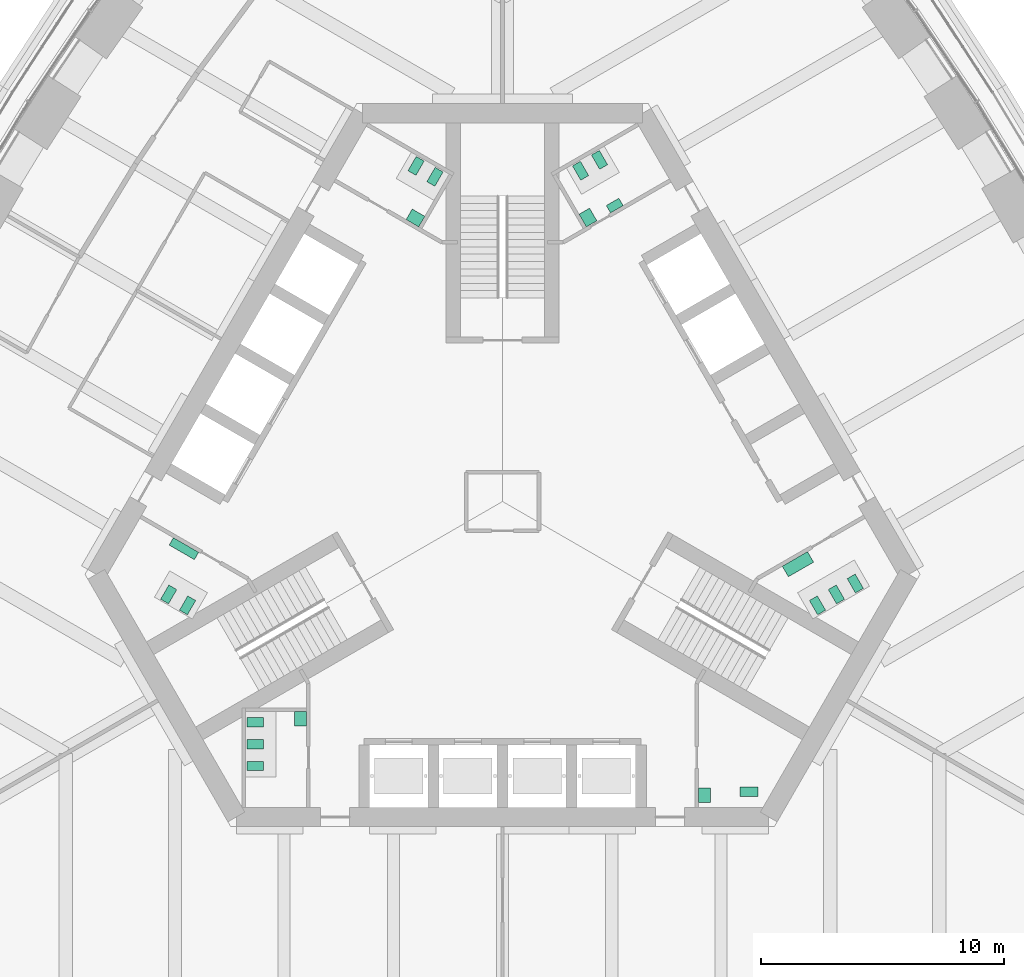
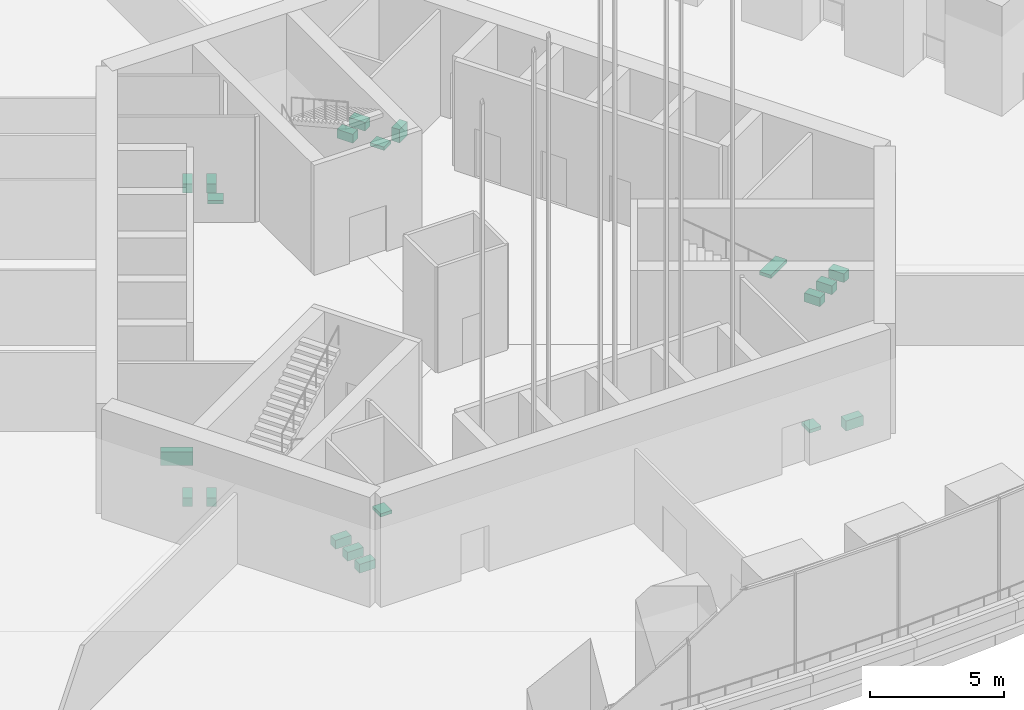
# One storey, part 22 of 31: 20 sanitary terminals.
"""IFC4 building model written with IfcOpenShell, lengths in metres."""

import ifcopenshell
import ifcopenshell.guid

model = None  # the IFC model being written
_history = None  # IfcOwnerHistory: only IFC2X3 demands one
_inside = {}  # id of a spatial element -> (the spatial element, [elements in it])
_under = {}  # id of a project, library or spatial element -> (it, [spatial elements below it])
_declared = {}  # id of a project -> (the project, [libraries it declares])
_typed = {}  # id of a type object -> (the type object, [elements of that type])
_made_of = {}  # id of a material, layer set ... -> (it, [elements and type objects made of it])


def new_model(schema):
    """Start an empty IFC model of exactly this schema.

    Asked for "IFC4X3", IfcOpenShell would pick the latest addendum, in which some entities
    have other attributes; the version numbers below select the first issue.
    IFC2X3 requires an IfcOwnerHistory on every rooted entity: one is made here for all.
    """
    global model, _history
    if schema == "IFC4X3":
        model = ifcopenshell.file(schema_version=(4, 3, 0, 0))
    else:
        model = ifcopenshell.file(schema=schema)
    _inside.clear()
    _under.clear()
    _declared.clear()
    _typed.clear()
    _made_of.clear()
    _history = None
    if model.schema == "IFC2X3":
        org = make("IfcOrganization", Name="unknown")
        user = make(
            "IfcPersonAndOrganization",
            ThePerson=make("IfcPerson", FamilyName="unknown"),
            TheOrganization=org,
        )
        app = make(
            "IfcApplication",
            ApplicationDeveloper=org,
            Version="unknown",
            ApplicationFullName="unknown",
            ApplicationIdentifier="unknown",
        )
        _history = make(
            "IfcOwnerHistory",
            OwningUser=user,
            OwningApplication=app,
            ChangeAction="ADDED",
            CreationDate=0,
        )
    return model


def make(cls, **values):
    """One entity of the class cls with the attributes given. An attribute that is None is left unset."""
    return model.create_entity(
        cls, **{name: value for name, value in values.items() if value is not None}
    )


def rooted(cls, **values):
    """An entity with a GlobalId (a new one), such as an element, a storey or a relation."""
    return make(cls, GlobalId=ifcopenshell.guid.new(), OwnerHistory=_history, **values)


def si_unit(unit_type, name, prefix=None):
    """IfcSIUnit, for example si_unit("LENGTHUNIT", "METRE", prefix="MILLI")."""
    return make("IfcSIUnit", UnitType=unit_type, Prefix=prefix, Name=name)


def assignment(units):
    """IfcUnitAssignment: the units of a project."""
    return None if units is None else make("IfcUnitAssignment", Units=units)


def point(xyz):
    """IfcCartesianPoint."""
    return None if xyz is None else make("IfcCartesianPoint", Coordinates=xyz)


def direction(xyz):
    """IfcDirection."""
    return None if xyz is None else make("IfcDirection", DirectionRatios=xyz)


def frame(location, z_axis=None, x_axis=None):
    """IfcAxis2Placement3D, a coordinate frame: its origin and axes. An axis left out is left unset."""
    return make(
        "IfcAxis2Placement3D",
        Location=point(location),
        Axis=direction(z_axis),
        RefDirection=direction(x_axis),
    )


def origin():
    """The frame at (0, 0, 0) with its axes left unset."""
    return frame((0.0, 0.0, 0.0))


def place(relative_to, where):
    """IfcLocalPlacement: puts the frame where relative to a parent placement (None: the world)."""
    return make(
        "IfcLocalPlacement", PlacementRelTo=relative_to, RelativePlacement=where
    )


def context(
    kind, dimensions, precision=None, world=None, true_north=None, identifier=None
):
    """IfcGeometricRepresentationContext, for example the 3D "Model" context."""
    return make(
        "IfcGeometricRepresentationContext",
        ContextIdentifier=identifier,
        ContextType=kind,
        CoordinateSpaceDimension=dimensions,
        Precision=precision,
        WorldCoordinateSystem=world,
        TrueNorth=true_north,
    )


def subcontext(parent, identifier, kind, view, scale=None):
    """IfcGeometricRepresentationSubContext, for example "Body" below "Model"."""
    return make(
        "IfcGeometricRepresentationSubContext",
        ContextIdentifier=identifier,
        ContextType=kind,
        ParentContext=parent,
        TargetScale=scale,
        TargetView=view,
    )


def project(units=None, contexts=None):
    """IfcProject with its units and contexts."""
    return rooted(
        "IfcProject",
        Name="project",
        RepresentationContexts=contexts,
        UnitsInContext=assignment(units),
    )


def spatial(cls, under=None, at=None, **own):
    """A site, building, storey or space (cls), placed at a placement, below another one or the project."""
    s = rooted(cls, ObjectPlacement=at, **own)
    if under is not None:
        _under.setdefault(under.id(), (under, []))[1].append(s)
    return s


def polyline(points):
    """IfcPolyline through the points."""
    return make("IfcPolyline", Points=[point(p) for p in points])


def outline(outer, holes=None, kind="AREA"):
    """IfcArbitraryClosedProfileDef: a profile drawn as a closed curve; with holes, ...WithVoids."""
    if holes is None:
        return make("IfcArbitraryClosedProfileDef", ProfileType=kind, OuterCurve=outer)
    return make(
        "IfcArbitraryProfileDefWithVoids",
        ProfileType=kind,
        OuterCurve=outer,
        InnerCurves=holes,
    )


def extrude(swept, where, along, depth):
    """IfcExtrudedAreaSolid: the profile swept, set in the frame where, extruded along a direction by depth."""
    return make(
        "IfcExtrudedAreaSolid",
        SweptArea=swept,
        Position=where,
        ExtrudedDirection=direction(along),
        Depth=depth,
    )


def shape(context_of_items, identifier, shape_type, items):
    """IfcShapeRepresentation: the items that make up one representation, for example the "Body"."""
    return make(
        "IfcShapeRepresentation",
        ContextOfItems=context_of_items,
        RepresentationIdentifier=identifier,
        RepresentationType=shape_type,
        Items=items,
    )


def material(Name=None, Category=None):
    """IfcMaterial."""
    return make("IfcMaterial", Name=Name, Category=Category)


def made_of(thing, what):
    """Note that an element or type object is made of a material, layer set ...; save() writes the relation."""
    if what is not None:
        _made_of.setdefault(what.id(), (what, []))[1].append(thing)
    return thing


def type_object(cls, material=None, **own):
    """A type object (cls), such as IfcWallType, which elements share."""
    return made_of(rooted(cls, **own), material)


def element(
    cls,
    number,
    at=None,
    inside=None,
    cuts=None,
    type_object=None,
    material=None,
    context=None,
    identifier="Body",
    shape_type=None,
    held_by="IfcProductDefinitionShape",
    body=None,
    shapes=None,
    **own,
):
    """One element of the class cls, such as IfcWall. Its Tag is "e" and its number.

    at: its placement. inside: the storey or other place that contains it. cuts: it is an
    opening in that element (IfcRelVoidsElement). A single representation is given by context,
    identifier, shape_type and body (its items); several are given by shapes. held_by: the class
    of the entity that holds the representations. save() writes the other relations.
    """
    e = rooted(cls, Tag="e%d" % number, ObjectPlacement=at, **own)
    if body is not None:
        shapes = [shape(context, identifier, shape_type, body)]
    if shapes is not None:
        e.Representation = make(held_by, Representations=shapes)
    if inside is not None:
        _inside.setdefault(inside.id(), (inside, []))[1].append(e)
    if cuts is not None:
        rooted(
            "IfcRelVoidsElement", RelatingBuildingElement=cuts, RelatedOpeningElement=e
        )
    if type_object is not None:
        _typed.setdefault(type_object.id(), (type_object, []))[1].append(e)
    return made_of(e, material)


def aggregate(whole, parts):
    """IfcRelAggregates: a whole, such as a stair, and the parts it consists of."""
    return rooted("IfcRelAggregates", RelatingObject=whole, RelatedObjects=parts)


def save(model, path):
    """Write the relations noted so far, then the file.

    IfcRelAggregates (storeys below a building ...), IfcRelContainedInSpatialStructure (elements
    in a storey), IfcRelDefinesByType, IfcRelAssociatesMaterial and IfcRelDeclares: one each for
    every whole, place, type object, material and project.
    """
    for whole, parts in _under.values():
        aggregate(whole, parts)
    for where, things in _inside.values():
        rooted(
            "IfcRelContainedInSpatialStructure",
            RelatedElements=things,
            RelatingStructure=where,
        )
    for kind, things in _typed.values():
        rooted("IfcRelDefinesByType", RelatedObjects=things, RelatingType=kind)
    for what, things in _made_of.values():
        rooted("IfcRelAssociatesMaterial", RelatedObjects=things, RelatingMaterial=what)
    for by, libraries in _declared.values():
        rooted("IfcRelDeclares", RelatingContext=by, RelatedDefinitions=libraries)
    model.write(path)


model = new_model("IFC4")

# Units and contexts
model_context = context("Model", 3, precision=1e-05, world=origin(), true_north=direction((0.0, 1.0)))
body_context = subcontext(model_context, "Body", "Model", "MODEL_VIEW")
ifc_project = project(units=[si_unit("LENGTHUNIT", "METRE"), si_unit("AREAUNIT", "SQUARE_METRE"), si_unit("VOLUMEUNIT", "CUBIC_METRE"), si_unit("PLANEANGLEUNIT", "RADIAN"), si_unit("MASSUNIT", "GRAM", prefix="KILO")], contexts=[model_context])

# Site, building, storey
site_placement = place(None, origin())
site = spatial("IfcSite", under=ifc_project, at=site_placement, CompositionType="ELEMENT")
building_placement = place(site_placement, origin())
building = spatial("IfcBuilding", under=site, at=building_placement, Name="Trefoil Bronze Tower", CompositionType="ELEMENT")
storey_placement = place(building_placement, frame((0.0, 0.0, 184.699951171875)))
storey = spatial("IfcBuildingStorey", under=building, at=storey_placement, Name="L42", CompositionType="ELEMENT", Elevation=184.699951171875)

# Sanitary terminals
ifc_material_1 = material(Name="Vitreous china", Category="ceramic")
sanitary_terminal_type_1 = type_object("IfcSanitaryTerminalType", Name="Accessible WC pan", PredefinedType="TOILETPAN", material=ifc_material_1)
sanitary_terminal_1_placement = place(storey_placement, origin())
element("IfcSanitaryTerminal", 1, at=sanitary_terminal_1_placement, inside=storey, type_object=sanitary_terminal_type_1, Name="WC pan 1 Accessible WC L42", PredefinedType="TOILETPAN", context=body_context, shape_type="SweptSolid", body=[
    extrude(outline(polyline([(9.784912109375, -11.77001953125), (10.534912109375, -11.77001953125), (10.534912109375, -12.14990234375), (9.784912109375, -12.14990234375), (9.784912109375, -11.77001953125)])), origin(), (0.0, 0.0, 1.0), 0.449951171875),
])
ifc_material_2 = material(Name="Vitreous china", Category="ceramic")
sanitary_terminal_type_2 = type_object("IfcSanitaryTerminalType", Name="Accessible basin", PredefinedType="WASHHANDBASIN", material=ifc_material_2)
sanitary_terminal_2_placement = place(storey_placement, frame((0.0, 0.0, 0.650146484375)))
element("IfcSanitaryTerminal", 2, at=sanitary_terminal_2_placement, inside=storey, type_object=sanitary_terminal_type_2, Name="Wash basin Accessible WC L42", PredefinedType="WASHHANDBASIN", context=body_context, shape_type="SweptSolid", body=[
    extrude(outline(polyline([(8.074951171875, -11.800048828125), (8.574951171875, -11.800048828125), (8.574951171875, -12.39990234375), (8.074951171875, -12.39990234375), (8.074951171875, -11.800048828125)])), origin(), (0.0, 0.0, 1.0), 0.14990234375),
])
ifc_material_3 = material(Name="Vitreous china", Category="ceramic")
sanitary_terminal_type_3 = type_object("IfcSanitaryTerminalType", Name="Urinal range 1 urinals", PredefinedType="URINAL", material=ifc_material_3)
sanitary_terminal_3_placement = place(storey_placement, frame((0.0, 0.0, 0.400146484375)))
element("IfcSanitaryTerminal", 3, at=sanitary_terminal_3_placement, inside=storey, type_object=sanitary_terminal_type_3, Name="Urinal range WC (men) L42", PredefinedType="URINAL", context=body_context, shape_type="SweptSolid", body=[
    extrude(outline(polyline([(4.449462890625, 11.89306640625), (4.274658203125, 12.1962890625), (4.794189453125, 12.496337890625), (4.96923828125, 12.193115234375), (4.449462890625, 11.89306640625)])), origin(), (0.0, 0.0, 1.0), 0.599853515625),
])
ifc_material_4 = material(Name="Vitreous china", Category="ceramic")
sanitary_terminal_type_4 = type_object("IfcSanitaryTerminalType", Name="Urinal range 2 urinals", PredefinedType="URINAL", material=ifc_material_4)
sanitary_terminal_4_placement = place(storey_placement, frame((0.0, 0.0, 0.400146484375)))
element("IfcSanitaryTerminal", 4, at=sanitary_terminal_4_placement, inside=storey, type_object=sanitary_terminal_type_4, Name="Urinal range WC (men) L42", PredefinedType="URINAL", context=body_context, shape_type="SweptSolid", body=[
    extrude(outline(polyline([(-12.524658203125, -2.09326171875), (-12.699462890625, -2.396240234375), (-13.73876953125, -1.796142578125), (-13.563720703125, -1.4931640625), (-12.524658203125, -2.09326171875)])), origin(), (0.0, 0.0, 1.0), 0.599853515625),
])
ifc_material_5 = material(Name="Solid surface vanity", Category="plastic")
sanitary_terminal_type_5 = type_object("IfcSanitaryTerminalType", Name="Vanity unit 1 basins", PredefinedType="WASHHANDBASIN", material=ifc_material_5)
sanitary_terminal_5_placement = place(storey_placement, frame((0.0, 0.0, 0.75)))
element("IfcSanitaryTerminal", 5, at=sanitary_terminal_5_placement, inside=storey, type_object=sanitary_terminal_type_5, Name="Vanity unit WC (men) L42", PredefinedType="WASHHANDBASIN", context=body_context, shape_type="SweptSolid", body=[
    extrude(outline(polyline([(3.45361328125, 11.318115234375), (3.153564453125, 11.837890625), (3.586669921875, 12.087890625), (3.88671875, 11.568115234375), (3.45361328125, 11.318115234375)])), origin(), (0.0, 0.0, 1.0), 0.150146484375),
])
sanitary_terminal_6_placement = place(storey_placement, frame((0.0, 0.0, 0.75)))
element("IfcSanitaryTerminal", 6, at=sanitary_terminal_6_placement, inside=storey, type_object=sanitary_terminal_type_5, Name="Vanity unit WC (women) L42", PredefinedType="WASHHANDBASIN", context=body_context, shape_type="SweptSolid", body=[
    extrude(outline(polyline([(-3.45361328125, 11.318115234375), (-3.20361328125, 11.751220703125), (-3.72314453125, 12.05126953125), (-3.97314453125, 11.6181640625), (-3.45361328125, 11.318115234375)])), origin(), (0.0, 0.0, 1.0), 0.150146484375),
])
sanitary_terminal_7_placement = place(storey_placement, frame((0.0, 0.0, 0.75)))
element("IfcSanitaryTerminal", 7, at=sanitary_terminal_7_placement, inside=storey, type_object=sanitary_terminal_type_5, Name="Vanity unit WC (women) L42", PredefinedType="WASHHANDBASIN", context=body_context, shape_type="SweptSolid", body=[
    extrude(outline(polyline([(-8.074951171875, -8.64990234375), (-8.574951171875, -8.64990234375), (-8.574951171875, -9.25), (-8.074951171875, -9.25), (-8.074951171875, -8.64990234375)])), origin(), (0.0, 0.0, 1.0), 0.150146484375),
])
ifc_material_6 = material(Name="Solid surface vanity", Category="plastic")
sanitary_terminal_type_6 = type_object("IfcSanitaryTerminalType", Name="Vanity unit 2 basins", PredefinedType="WASHHANDBASIN", material=ifc_material_6)
sanitary_terminal_8_placement = place(storey_placement, frame((0.0, 0.0, 0.75)))
element("IfcSanitaryTerminal", 8, at=sanitary_terminal_8_placement, inside=storey, type_object=sanitary_terminal_type_6, Name="Vanity unit WC (women) L42", PredefinedType="WASHHANDBASIN", context=body_context, shape_type="SweptSolid", body=[
    extrude(outline(polyline([(11.528564453125, -2.668212890625), (11.778564453125, -3.10107421875), (12.81787109375, -2.501220703125), (12.56787109375, -2.068115234375), (11.528564453125, -2.668212890625)])), origin(), (0.0, 0.0, 1.0), 0.150146484375),
])
ifc_material_7 = material(Name="Vitreous china", Category="ceramic")
sanitary_terminal_type_7 = type_object("IfcSanitaryTerminalType", Name="WC pan", PredefinedType="TOILETPAN", material=ifc_material_7)
sanitary_terminal_9_placement = place(storey_placement, origin())
element("IfcSanitaryTerminal", 9, at=sanitary_terminal_9_placement, inside=storey, type_object=sanitary_terminal_type_7, Name="WC pan 1 WC (women) L42", PredefinedType="TOILETPAN", context=body_context, shape_type="SweptSolid", body=[
    extrude(outline(polyline([(12.643798828125, -4.07958984375), (12.98388671875, -4.66845703125), (13.31298828125, -4.478515625), (12.972900390625, -3.8896484375), (12.643798828125, -4.07958984375)])), origin(), (0.0, 0.0, 1.0), 0.400146484375),
])
sanitary_terminal_10_placement = place(storey_placement, origin())
element("IfcSanitaryTerminal", 10, at=sanitary_terminal_10_placement, inside=storey, type_object=sanitary_terminal_type_7, Name="WC pan 2 WC (women) L42", PredefinedType="TOILETPAN", context=body_context, shape_type="SweptSolid", body=[
    extrude(outline(polyline([(13.423095703125, -3.629638671875), (13.76318359375, -4.218505859375), (14.09228515625, -4.028564453125), (13.752197265625, -3.439697265625), (13.423095703125, -3.629638671875)])), origin(), (0.0, 0.0, 1.0), 0.400146484375),
])
sanitary_terminal_11_placement = place(storey_placement, origin())
element("IfcSanitaryTerminal", 11, at=sanitary_terminal_11_placement, inside=storey, type_object=sanitary_terminal_type_7, Name="WC pan 3 WC (women) L42", PredefinedType="TOILETPAN", context=body_context, shape_type="SweptSolid", body=[
    extrude(outline(polyline([(14.20263671875, -3.1796875), (14.542724609375, -3.7685546875), (14.871826171875, -3.57861328125), (14.53173828125, -2.98974609375), (14.20263671875, -3.1796875)])), origin(), (0.0, 0.0, 1.0), 0.400146484375),
])
sanitary_terminal_12_placement = place(storey_placement, origin())
element("IfcSanitaryTerminal", 12, at=sanitary_terminal_12_placement, inside=storey, type_object=sanitary_terminal_type_7, Name="WC pan 1 WC (men) L42", PredefinedType="TOILETPAN", context=body_context, shape_type="SweptSolid", body=[
    extrude(outline(polyline([(3.2216796875, 13.23974609375), (2.8818359375, 13.82861328125), (3.2109375, 14.0185546875), (3.55078125, 13.4296875), (3.2216796875, 13.23974609375)])), origin(), (0.0, 0.0, 1.0), 0.400146484375),
])
sanitary_terminal_13_placement = place(storey_placement, origin())
element("IfcSanitaryTerminal", 13, at=sanitary_terminal_13_placement, inside=storey, type_object=sanitary_terminal_type_7, Name="WC pan 2 WC (men) L42", PredefinedType="TOILETPAN", context=body_context, shape_type="SweptSolid", body=[
    extrude(outline(polyline([(4.001220703125, 13.689697265625), (3.6611328125, 14.278564453125), (3.990234375, 14.468505859375), (4.330322265625, 13.879638671875), (4.001220703125, 13.689697265625)])), origin(), (0.0, 0.0, 1.0), 0.400146484375),
])
sanitary_terminal_14_placement = place(storey_placement, origin())
element("IfcSanitaryTerminal", 14, at=sanitary_terminal_14_placement, inside=storey, type_object=sanitary_terminal_type_7, Name="WC pan 1 WC (women) L42", PredefinedType="TOILETPAN", context=body_context, shape_type="SweptSolid", body=[
    extrude(outline(polyline([(-2.788818359375, 12.98974609375), (-2.44873046875, 13.57861328125), (-2.77783203125, 13.7685546875), (-3.117919921875, 13.1796875), (-2.788818359375, 12.98974609375)])), origin(), (0.0, 0.0, 1.0), 0.400146484375),
])
sanitary_terminal_15_placement = place(storey_placement, origin())
element("IfcSanitaryTerminal", 15, at=sanitary_terminal_15_placement, inside=storey, type_object=sanitary_terminal_type_7, Name="WC pan 2 WC (women) L42", PredefinedType="TOILETPAN", context=body_context, shape_type="SweptSolid", body=[
    extrude(outline(polyline([(-3.568115234375, 13.439697265625), (-3.228271484375, 14.028564453125), (-3.557373046875, 14.218505859375), (-3.897216796875, 13.629638671875), (-3.568115234375, 13.439697265625)])), origin(), (0.0, 0.0, 1.0), 0.400146484375),
])
sanitary_terminal_16_placement = place(storey_placement, origin())
element("IfcSanitaryTerminal", 16, at=sanitary_terminal_16_placement, inside=storey, type_object=sanitary_terminal_type_7, Name="WC pan 1 WC (men) L42", PredefinedType="TOILETPAN", context=body_context, shape_type="SweptSolid", body=[
    extrude(outline(polyline([(-12.643798828125, -4.07958984375), (-12.98388671875, -4.66845703125), (-13.31298828125, -4.478515625), (-12.972900390625, -3.8896484375), (-12.643798828125, -4.07958984375)])), origin(), (0.0, 0.0, 1.0), 0.400146484375),
])
sanitary_terminal_17_placement = place(storey_placement, origin())
element("IfcSanitaryTerminal", 17, at=sanitary_terminal_17_placement, inside=storey, type_object=sanitary_terminal_type_7, Name="WC pan 2 WC (men) L42", PredefinedType="TOILETPAN", context=body_context, shape_type="SweptSolid", body=[
    extrude(outline(polyline([(-13.423095703125, -3.629638671875), (-13.76318359375, -4.218505859375), (-14.09228515625, -4.028564453125), (-13.752197265625, -3.439697265625), (-13.423095703125, -3.629638671875)])), origin(), (0.0, 0.0, 1.0), 0.400146484375),
])
sanitary_terminal_18_placement = place(storey_placement, origin())
element("IfcSanitaryTerminal", 18, at=sanitary_terminal_18_placement, inside=storey, type_object=sanitary_terminal_type_7, Name="WC pan 1 WC (women) L42", PredefinedType="TOILETPAN", context=body_context, shape_type="SweptSolid", body=[
    extrude(outline(polyline([(-9.85498046875, -8.909912109375), (-10.534912109375, -8.909912109375), (-10.534912109375, -9.2900390625), (-9.85498046875, -9.2900390625), (-9.85498046875, -8.909912109375)])), origin(), (0.0, 0.0, 1.0), 0.400146484375),
])
sanitary_terminal_19_placement = place(storey_placement, origin())
element("IfcSanitaryTerminal", 19, at=sanitary_terminal_19_placement, inside=storey, type_object=sanitary_terminal_type_7, Name="WC pan 2 WC (women) L42", PredefinedType="TOILETPAN", context=body_context, shape_type="SweptSolid", body=[
    extrude(outline(polyline([(-9.85498046875, -9.81005859375), (-10.534912109375, -9.81005859375), (-10.534912109375, -10.18994140625), (-9.85498046875, -10.18994140625), (-9.85498046875, -9.81005859375)])), origin(), (0.0, 0.0, 1.0), 0.400146484375),
])
sanitary_terminal_20_placement = place(storey_placement, origin())
element("IfcSanitaryTerminal", 20, at=sanitary_terminal_20_placement, inside=storey, type_object=sanitary_terminal_type_7, Name="WC pan 3 WC (women) L42", PredefinedType="TOILETPAN", context=body_context, shape_type="SweptSolid", body=[
    extrude(outline(polyline([(-9.85498046875, -10.7099609375), (-10.534912109375, -10.7099609375), (-10.534912109375, -11.090087890625), (-9.85498046875, -11.090087890625), (-9.85498046875, -10.7099609375)])), origin(), (0.0, 0.0, 1.0), 0.400146484375),
])

save(model, "model.ifc")
